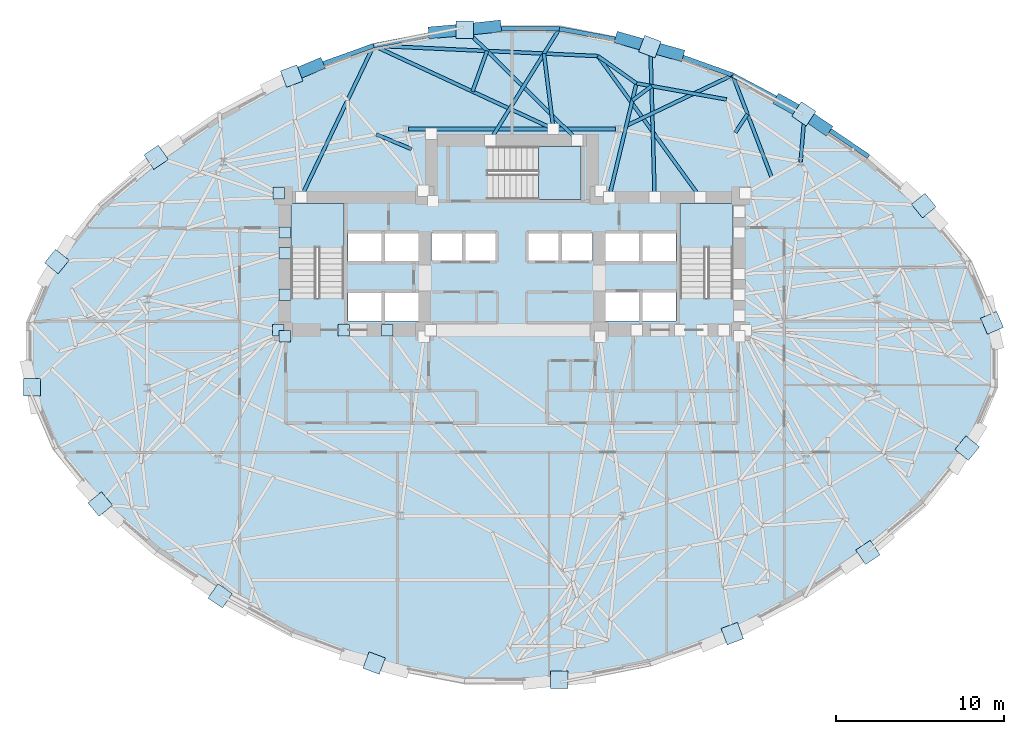
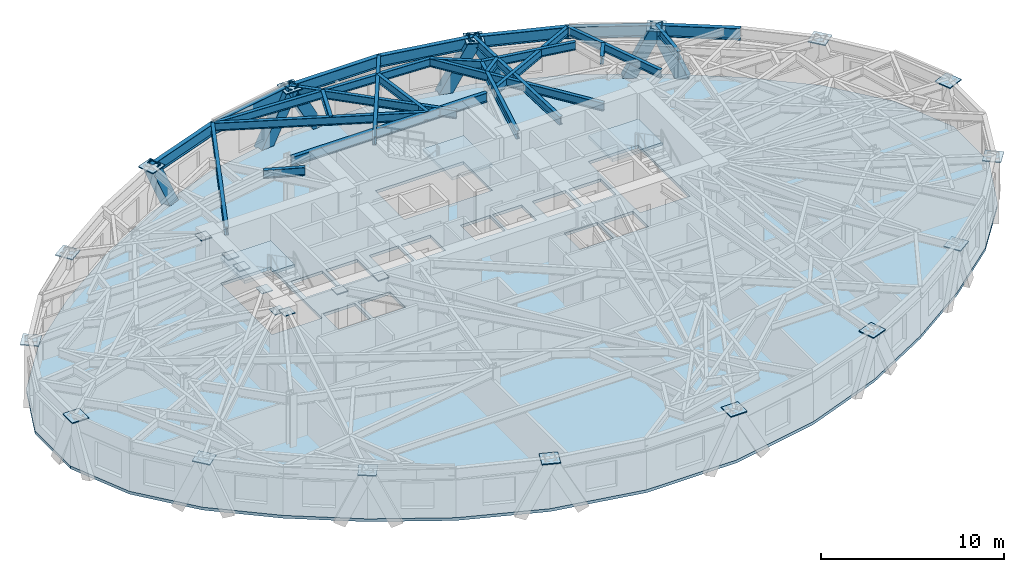
# One storey, part 5 of 14: 26 beams, 24 plates, 7 members, 4 slabs, 3 elements without a shape of their own.
"""IFC4 building model written with IfcOpenShell, lengths in metres."""

from ifc_helpers import new_model, si_unit, direction, frame, origin, origin_2d, place, context, subcontext, project, spatial, polyline, rectangle, hollow_rectangle, i_section, outline, extrude, material, layer, layer_set, material_profile, profile_set, type_object, element, aggregate, save


model = new_model("IFC4")

# Units and contexts
model_context = context("Model", 3, precision=1e-05, world=origin(), true_north=direction((0.0, 1.0)))
body_context = subcontext(model_context, "Body", "Model", "MODEL_VIEW")
ifc_project = project(units=[si_unit("LENGTHUNIT", "METRE"), si_unit("AREAUNIT", "SQUARE_METRE"), si_unit("VOLUMEUNIT", "CUBIC_METRE"), si_unit("PLANEANGLEUNIT", "RADIAN"), si_unit("MASSUNIT", "GRAM", prefix="KILO")], contexts=[model_context])

# Site, building, storey
site_placement = place(None, origin())
site = spatial("IfcSite", under=ifc_project, at=site_placement, CompositionType="ELEMENT")
building_placement = place(site_placement, origin())
building = spatial("IfcBuilding", under=site, at=building_placement, Name="Keldmark Tower", CompositionType="ELEMENT")
storey_placement = place(building_placement, frame((0.0, 0.0, 89.60009765625)))
storey = spatial("IfcBuildingStorey", under=building, at=storey_placement, Name="L23", CompositionType="ELEMENT", Elevation=89.60009765625)

# Members
ifc_material_1 = material(Name="Steel ASTM A572 Grade 50", Category="steel")
ifc_material_profile_1 = material_profile(ifc_material_1, hollow_rectangle(XDim=0.699951171875, YDim=0.699951171875, WallThickness=0.054931640625, at=origin_2d()), Name="BOX700X700X55")
ifc_profile_set_1 = profile_set([ifc_material_profile_1], Name="Steel ASTM A572 Grade 50")
member_type = type_object("IfcMemberType", Name="Diagrid Zone 1 Brace BOX700X700X55", PredefinedType="BRACE", material=ifc_profile_set_1)
member_1_placement = place(storey_placement, frame((18.631103515625, 13.481689453125, -0.27001953125), z_axis=(-0.336340617782, 0.22609778775, 0.914196247643), x_axis=(-0.557891754067, -0.82991372488, 0.0)))
element("IfcMember", 1, at=member_1_placement, inside=storey, type_object=member_type, Name="L23 Perimeter Diagrid Brace 02B", PredefinedType="BRACE", context=body_context, shape_type="SweptSolid", body=[
    extrude(hollow_rectangle(XDim=0.699951171875, YDim=0.699951171875, WallThickness=0.054931640625, at=origin_2d()), origin(), (0.0, 0.0, 1.0), 3.78466796875),
])
member_2_placement = place(storey_placement, frame((15.95751953125, 15.10595703125, -0.27001953125), z_axis=(0.369242285857, -0.203591917102, 0.906758217843), x_axis=(0.482844663231, 0.875706018701, 0.0)))
element("IfcMember", 2, at=member_2_placement, inside=storey, type_object=member_type, Name="L23 Perimeter Diagrid Brace 03A", PredefinedType="BRACE", context=body_context, shape_type="SweptSolid", body=[
    extrude(hollow_rectangle(XDim=0.699951171875, YDim=0.699951171875, WallThickness=0.054931640625, at=origin_2d()), origin(), (0.0, 0.0, 1.0), 3.815673828125),
])
member_3_placement = place(storey_placement, frame((9.8876953125, 17.863037109375, -0.27001953125), z_axis=(-0.434997536454, 0.121811900584, 0.892154136994), x_axis=(-0.269655770561, -0.962956782729, 0.0)))
element("IfcMember", 3, at=member_3_placement, inside=storey, type_object=member_type, Name="L23 Perimeter Diagrid Brace 03B", PredefinedType="BRACE", context=body_context, shape_type="SweptSolid", body=[
    extrude(hollow_rectangle(XDim=0.699951171875, YDim=0.699951171875, WallThickness=0.054931640625, at=origin_2d()), origin(), (0.0, 0.0, 1.0), 3.878173828125),
])
member_4_placement = place(storey_placement, frame((6.45849609375, 18.824462890625, -0.27001953125), z_axis=(0.448377656674, -0.126190118944, 0.884891818742), x_axis=(0.270912496886, 0.962603978296, 0.0)))
element("IfcMember", 4, at=member_4_placement, inside=storey, type_object=member_type, Name="L23 Perimeter Diagrid Brace 04A", PredefinedType="BRACE", context=body_context, shape_type="SweptSolid", body=[
    extrude(hollow_rectangle(XDim=0.699951171875, YDim=0.699951171875, WallThickness=0.054931640625, at=origin_2d()), origin(), (0.0, 0.0, 1.0), 3.91015625),
])
member_5_placement = place(storey_placement, frame((-0.955078125, 19.5361328125, -0.27001953125), z_axis=(-0.474577602161, -0.051277198457, 0.878718810795), x_axis=(0.107422850938, -0.994213423313, 0.0)))
element("IfcMember", 5, at=member_5_placement, inside=storey, type_object=member_type, Name="L23 Perimeter Diagrid Brace 04B", PredefinedType="BRACE", context=body_context, shape_type="SweptSolid", body=[
    extrude(hollow_rectangle(XDim=0.699951171875, YDim=0.699951171875, WallThickness=0.054931640625, at=origin_2d()), origin(), (0.0, 0.0, 1.0), 3.9375),
])
member_6_placement = place(storey_placement, frame((-4.65576171875, 19.17919921875, -0.27001953125), z_axis=(0.469910685109, 0.039511822702, 0.881829214694), x_axis=(-0.083788014714, 0.996483601767, 0.0)))
element("IfcMember", 6, at=member_6_placement, inside=storey, type_object=member_type, Name="L23 Perimeter Diagrid Brace 05A", PredefinedType="BRACE", context=body_context, shape_type="SweptSolid", body=[
    extrude(hollow_rectangle(XDim=0.699951171875, YDim=0.699951171875, WallThickness=0.054931640625, at=origin_2d()), origin(), (0.0, 0.0, 1.0), 3.923583984375),
])
member_7_placement = place(storey_placement, frame((-11.5244140625, 17.249755859375, -0.27001953125), z_axis=(-0.409173634849, -0.172596418903, 0.895984047138), x_axis=(0.388655184327, -0.921383279475, 0.0)))
element("IfcMember", 7, at=member_7_placement, inside=storey, type_object=member_type, Name="L23 Perimeter Diagrid Brace 05B", PredefinedType="BRACE", context=body_context, shape_type="SweptSolid", body=[
    extrude(hollow_rectangle(XDim=0.699951171875, YDim=0.699951171875, WallThickness=0.054931640625, at=origin_2d()), origin(), (0.0, 0.0, 1.0), 3.861572265625),
])

# Beams
ifc_material_2 = material(Name="Steel ASTM A992 Grade 50", Category="steel")
ifc_material_profile_2 = material_profile(ifc_material_2, i_section(OverallWidth=0.22900390625, OverallDepth=0.612060546875, WebThickness=0.011962890625, FlangeThickness=0.01953125, at=origin_2d()), Name="W24X84")
ifc_profile_set_2 = profile_set([ifc_material_profile_2], Name="Steel ASTM A992 Grade 50")
beam_type_1 = type_object("IfcBeamType", Name="Primary Floor Girder W24X84", PredefinedType="BEAM", material=ifc_profile_set_2)
beam_1_placement = place(storey_placement, frame((6.15869140625, 13.4326171875, 3.00390625), z_axis=(-1.0, 0.0, 0.0), x_axis=(0.0, -1.0, 0.0)))
element("IfcBeam", 8, at=beam_1_placement, inside=storey, type_object=beam_type_1, Name="L23 Floor Ring Girder FG-R03", PredefinedType="BEAM", context=body_context, shape_type="SweptSolid", body=[
    extrude(i_section(OverallWidth=0.22900390625, OverallDepth=0.612060546875, WebThickness=0.011962890625, FlangeThickness=0.01953125, at=origin_2d()), origin(), (0.0, 0.0, 1.0), 12.3173828125),
])
ifc_material_3 = material(Name="Steel ASTM A992 Grade 50", Category="steel")
ifc_material_profile_3 = material_profile(ifc_material_3, i_section(OverallWidth=0.2099609375, OverallDepth=0.537109375, WebThickness=0.010986328125, FlangeThickness=0.017333984375, at=origin_2d()), Name="W21X68")
ifc_profile_set_3 = profile_set([ifc_material_profile_3], Name="Steel ASTM A992 Grade 50")
beam_type_2 = type_object("IfcBeamType", Name="Radial Tie Girder W21X68", PredefinedType="BEAM", material=ifc_profile_set_3)
beam_2_placement = place(storey_placement, frame((-5.968505859375, 12.23583984375, 3.04150390625), z_axis=(-0.922950161996, 0.384919470113, 0.0), x_axis=(-0.384919470113, -0.922950161996, 0.0)))
element("IfcBeam", 9, at=beam_2_placement, inside=storey, type_object=beam_type_2, Name="L23 Framing Pin Header PH-002", PredefinedType="BEAM", context=body_context, shape_type="SweptSolid", body=[
    extrude(i_section(OverallWidth=0.2099609375, OverallDepth=0.537109375, WebThickness=0.010986328125, FlangeThickness=0.017333984375, at=origin_2d()), origin(), (0.0, 0.0, 1.0), 2.2802734375),
])
beam_3_placement = place(storey_placement, frame((17.1669921875, 11.478271484375, 3.04150390625), z_axis=(0.081717856623, 0.996655503125, 0.0), x_axis=(-0.996655503125, 0.081717856623, 0.0)))
element("IfcBeam", 10, at=beam_3_placement, inside=storey, type_object=beam_type_2, Name="L23 Perimeter Column Bracket RT-05", PredefinedType="BEAM", context=body_context, shape_type="SweptSolid", body=[
    extrude(i_section(OverallWidth=0.2099609375, OverallDepth=0.537109375, WebThickness=0.010986328125, FlangeThickness=0.017333984375, at=origin_2d()), origin(), (0.0, 0.0, 1.0), 2.906982421875),
])
beam_4_placement = place(storey_placement, frame((13.27734375, 13.215087890625, 3.04150390625), z_axis=(0.550654836146, 0.834733042013, 0.0), x_axis=(-0.834733042013, 0.550654836146, 0.0)))
element("IfcBeam", 11, at=beam_4_placement, inside=storey, type_object=beam_type_2, Name="L23 Framing Pin Header PH-013", PredefinedType="BEAM", context=body_context, shape_type="SweptSolid", body=[
    extrude(i_section(OverallWidth=0.2099609375, OverallDepth=0.537109375, WebThickness=0.010986328125, FlangeThickness=0.017333984375, at=origin_2d()), origin(), (0.0, 0.0, 1.0), 1.3251953125),
])
beam_5_placement = place(storey_placement, frame((15.4619140625, 10.508544921875, 3.04150390625), z_axis=(-0.356535106282, 0.934281926395, 0.0), x_axis=(-0.934281926395, -0.356535106282, 0.0)))
element("IfcBeam", 12, at=beam_5_placement, inside=storey, type_object=beam_type_2, Name="L23 Perimeter Radial Tie Girder RT-06", PredefinedType="BEAM", context=body_context, shape_type="SweptSolid", body=[
    extrude(i_section(OverallWidth=0.2099609375, OverallDepth=0.537109375, WebThickness=0.010986328125, FlangeThickness=0.017333984375, at=origin_2d()), origin(), (0.0, 0.0, 1.0), 6.5634765625),
])
beam_6_placement = place(storey_placement, frame((13.121826171875, 16.640625, 3.04150390625), z_axis=(-0.902687188057, -0.430297386139, 0.0), x_axis=(0.430297386139, -0.902687188057, 0.0)))
element("IfcBeam", 13, at=beam_6_placement, inside=storey, type_object=beam_type_2, Name="L23 Framing Pin Header PH-014", PredefinedType="BEAM", context=body_context, shape_type="SweptSolid", body=[
    extrude(i_section(OverallWidth=0.2099609375, OverallDepth=0.537109375, WebThickness=0.010986328125, FlangeThickness=0.017333984375, at=origin_2d()), origin(), (0.0, 0.0, 1.0), 7.006591796875),
])
beam_7_placement = place(storey_placement, frame((5.778564453125, 9.375, 3.04150390625), z_axis=(0.233015009057, 0.972473138731, 0.0), x_axis=(-0.972473138731, 0.233015009057, 0.0)))
element("IfcBeam", 14, at=beam_7_placement, inside=storey, type_object=beam_type_2, Name="L23 Intermediate Radial Step Girder RT-07M", PredefinedType="BEAM", context=body_context, shape_type="SweptSolid", body=[
    extrude(i_section(OverallWidth=0.2099609375, OverallDepth=0.537109375, WebThickness=0.010986328125, FlangeThickness=0.017333984375, at=origin_2d()), origin(), (0.0, 0.0, 1.0), 6.96533203125),
])
beam_8_placement = place(storey_placement, frame((12.760498046875, 15.19140625, 3.04150390625), z_axis=(-0.9844170408, 0.175849622641, 0.0), x_axis=(-0.175849622641, -0.9844170408, 0.0)))
element("IfcBeam", 15, at=beam_8_placement, inside=storey, type_object=beam_type_2, Name="L23 Local Collector Chord RT-07C", PredefinedType="BEAM", context=body_context, shape_type="SweptSolid", body=[
    extrude(i_section(OverallWidth=0.2099609375, OverallDepth=0.537109375, WebThickness=0.010986328125, FlangeThickness=0.017333984375, at=origin_2d()), origin(), (0.0, 0.0, 1.0), 5.443603515625),
])
beam_9_placement = place(storey_placement, frame((7.158203125, 15.132568359375, 3.04150390625), z_axis=(0.79946510658, 0.600712529719, 0.0), x_axis=(-0.600712529719, 0.79946510658, 0.0)))
element("IfcBeam", 16, at=beam_9_placement, inside=storey, type_object=beam_type_2, Name="L23 Framing Pin Header PH-015", PredefinedType="BEAM", context=body_context, shape_type="SweptSolid", body=[
    extrude(i_section(OverallWidth=0.2099609375, OverallDepth=0.537109375, WebThickness=0.010986328125, FlangeThickness=0.017333984375, at=origin_2d()), origin(), (0.0, 0.0, 1.0), 1.4248046875),
])
beam_10_placement = place(storey_placement, frame((8.485595703125, 9.375, 3.04150390625), z_axis=(-0.028456198365, 0.999595040391, 0.0), x_axis=(-0.999595040391, -0.028456198365, 0.0)))
element("IfcBeam", 17, at=beam_10_placement, inside=storey, type_object=beam_type_2, Name="L23 Perimeter Radial Tie Girder RT-07", PredefinedType="BEAM", context=body_context, shape_type="SweptSolid", body=[
    extrude(i_section(OverallWidth=0.2099609375, OverallDepth=0.537109375, WebThickness=0.010986328125, FlangeThickness=0.017333984375, at=origin_2d()), origin(), (0.0, 0.0, 1.0), 9.01708984375),
])
beam_11_placement = place(storey_placement, frame((11.19287109375, 9.375, 3.04150390625), z_axis=(-0.5867132651, 0.809794754587, 0.0), x_axis=(-0.809794754587, -0.5867132651, 0.0)))
element("IfcBeam", 18, at=beam_11_placement, inside=storey, type_object=beam_type_2, Name="L23 Intermediate Radial Step Girder RT-08M", PredefinedType="BEAM", context=body_context, shape_type="SweptSolid", body=[
    extrude(i_section(OverallWidth=0.2099609375, OverallDepth=0.537109375, WebThickness=0.010986328125, FlangeThickness=0.017333984375, at=origin_2d()), origin(), (0.0, 0.0, 1.0), 10.368408203125),
])
beam_12_placement = place(storey_placement, frame((7.401611328125, 16.148681640625, 3.04150390625), z_axis=(-0.816181644353, 0.577795399273, 0.0), x_axis=(-0.577795399273, -0.816181644353, 0.0)))
element("IfcBeam", 19, at=beam_12_placement, inside=storey, type_object=beam_type_2, Name="L23 Local Collector Chord RT-08C", PredefinedType="BEAM", context=body_context, shape_type="SweptSolid", body=[
    extrude(i_section(OverallWidth=0.2099609375, OverallDepth=0.537109375, WebThickness=0.010986328125, FlangeThickness=0.017333984375, at=origin_2d()), origin(), (0.0, 0.0, 1.0), 2.80810546875),
])
beam_13_placement = place(storey_placement, frame((-12.54638671875, 9.375, 3.04150390625), z_axis=(0.431993937748, 0.901876509146, 0.0), x_axis=(-0.901876509146, 0.431993937748, 0.0)))
element("IfcBeam", 20, at=beam_13_placement, inside=storey, type_object=beam_type_2, Name="L23 Perimeter Radial Tie Girder RT-10", PredefinedType="BEAM", context=body_context, shape_type="SweptSolid", body=[
    extrude(i_section(OverallWidth=0.2099609375, OverallDepth=0.537109375, WebThickness=0.010986328125, FlangeThickness=0.017333984375, at=origin_2d()), origin(), (0.0, 0.0, 1.0), 9.994140625),
])
beam_14_placement = place(storey_placement, frame((5.109619140625, 17.771240234375, 3.04150390625), z_axis=(-0.998931226761, 0.0462212527, 0.0), x_axis=(-0.0462212527, -0.998931226761, 0.0)))
element("IfcBeam", 21, at=beam_14_placement, inside=storey, type_object=beam_type_2, Name="L23 Straddling Support Chord RT-08RB", PredefinedType="BEAM", context=body_context, shape_type="SweptSolid", body=[
    extrude(i_section(OverallWidth=0.2099609375, OverallDepth=0.537109375, WebThickness=0.010986328125, FlangeThickness=0.017333984375, at=origin_2d()), origin(), (0.0, 0.0, 1.0), 13.352783203125),
])
beam_15_placement = place(storey_placement, frame((2.46337890625, 13.4326171875, 3.04150390625), z_axis=(-0.124121116802, 0.992267075118, 0.0), x_axis=(-0.992267075118, -0.124121116802, 0.0)))
element("IfcBeam", 22, at=beam_15_placement, inside=storey, type_object=beam_type_2, Name="L23 Framing Pin Header PH-039", PredefinedType="BEAM", context=body_context, shape_type="SweptSolid", body=[
    extrude(i_section(OverallWidth=0.2099609375, OverallDepth=0.537109375, WebThickness=0.010986328125, FlangeThickness=0.017333984375, at=origin_2d()), origin(), (0.0, 0.0, 1.0), 4.52197265625),
])
beam_16_placement = place(storey_placement, frame((-1.293701171875, 12.77490234375, 3.04150390625), z_axis=(0.527667786865, 0.849450826537, 0.0), x_axis=(-0.849450826537, 0.527667786865, 0.0)))
element("IfcBeam", 23, at=beam_16_placement, inside=storey, type_object=beam_type_2, Name="L23 Perimeter Radial Tie Girder RT-08R", PredefinedType="BEAM", context=body_context, shape_type="SweptSolid", body=[
    extrude(i_section(OverallWidth=0.2099609375, OverallDepth=0.537109375, WebThickness=0.010986328125, FlangeThickness=0.017333984375, at=origin_2d()), origin(), (0.0, 0.0, 1.0), 7.7919921875),
])
beam_17_placement = place(storey_placement, frame((2.46337890625, 13.4326171875, 3.04150390625), z_axis=(-0.907284582794, 0.420517164721, 0.0), x_axis=(-0.420517164721, -0.907284582794, 0.0)))
element("IfcBeam", 24, at=beam_17_placement, inside=storey, type_object=beam_type_2, Name="L23 Straddling Support Chord RT-09RB", PredefinedType="BEAM", context=body_context, shape_type="SweptSolid", body=[
    extrude(i_section(OverallWidth=0.2099609375, OverallDepth=0.537109375, WebThickness=0.010986328125, FlangeThickness=0.017333984375, at=origin_2d()), origin(), (0.0, 0.0, 1.0), 11.78515625),
])
beam_18_placement = place(storey_placement, frame((-2.34814453125, 15.66259765625, 3.04150390625), z_axis=(0.336921497133, 0.941532742272, 0.0), x_axis=(-0.941532742272, 0.336921497133, 0.0)))
element("IfcBeam", 25, at=beam_18_placement, inside=storey, type_object=beam_type_2, Name="L23 Framing Pin Header PH-040", PredefinedType="BEAM", context=body_context, shape_type="SweptSolid", body=[
    extrude(i_section(OverallWidth=0.2099609375, OverallDepth=0.537109375, WebThickness=0.010986328125, FlangeThickness=0.017333984375, at=origin_2d()), origin(), (0.0, 0.0, 1.0), 2.563720703125),
])
beam_19_placement = place(storey_placement, frame((3.88134765625, 12.77490234375, 3.04150390625), z_axis=(-0.711358442802, 0.702829400248, 0.0), x_axis=(-0.702829400248, -0.711358442802, 0.0)))
element("IfcBeam", 26, at=beam_19_placement, inside=storey, type_object=beam_type_2, Name="L23 Perimeter Radial Tie Girder RT-09R", PredefinedType="BEAM", context=body_context, shape_type="SweptSolid", body=[
    extrude(i_section(OverallWidth=0.2099609375, OverallDepth=0.537109375, WebThickness=0.010986328125, FlangeThickness=0.017333984375, at=origin_2d()), origin(), (0.0, 0.0, 1.0), 9.41748046875),
])
ifc_material_4 = material(Name="Steel ASTM A992 Grade 50", Category="steel")
ifc_material_profile_4 = material_profile(ifc_material_4, i_section(OverallWidth=0.26806640625, OverallDepth=0.77001953125, WebThickness=0.015625, FlangeThickness=0.025390625, at=origin_2d()), Name="W30X132")
ifc_profile_set_4 = profile_set([ifc_material_profile_4], Name="Steel ASTM A992 Grade 50")
beam_type_3 = type_object("IfcBeamType", Name="Spandrel Ring Beam W30X132", PredefinedType="SPANDREL", material=ifc_profile_set_4)
beam_20_placement = place(storey_placement, frame((21.20751953125, 11.797607421875, 2.9248046875), z_axis=(-0.827749911298, 0.561097214701, 0.0), x_axis=(-0.561097214701, -0.827749911298, 0.0)))
element("IfcBeam", 27, at=beam_20_placement, inside=storey, type_object=beam_type_3, Name="L23 Perimeter Spandrel Ring Beam SRB-04", PredefinedType="SPANDREL", context=body_context, shape_type="SweptSolid", body=[
    extrude(i_section(OverallWidth=0.26806640625, OverallDepth=0.77001953125, WebThickness=0.015625, FlangeThickness=0.025390625, at=origin_2d()), origin(), (0.0, 0.0, 1.0), 4.59423828125),
])
beam_21_placement = place(storey_placement, frame((17.404541015625, 14.37548828125, 2.9248046875), z_axis=(-0.883974159998, 0.467535757409, 0.0), x_axis=(-0.467535757409, -0.883974159998, 0.0)))
element("IfcBeam", 28, at=beam_21_placement, inside=storey, type_object=beam_type_3, Name="L23 Perimeter Spandrel Ring Beam SRB-05", PredefinedType="SPANDREL", context=body_context, shape_type="SweptSolid", body=[
    extrude(i_section(OverallWidth=0.26806640625, OverallDepth=0.77001953125, WebThickness=0.015625, FlangeThickness=0.025390625, at=origin_2d()), origin(), (0.0, 0.0, 1.0), 4.8447265625),
])
beam_22_placement = place(storey_placement, frame((13.121826171875, 16.640625, 2.9248046875), z_axis=(-0.941719584121, 0.336398907376, 0.0), x_axis=(-0.336398907376, -0.941719584121, 0.0)))
element("IfcBeam", 29, at=beam_22_placement, inside=storey, type_object=beam_type_3, Name="L23 Perimeter Spandrel Ring Beam SRB-06", PredefinedType="SPANDREL", context=body_context, shape_type="SweptSolid", body=[
    extrude(i_section(OverallWidth=0.26806640625, OverallDepth=0.77001953125, WebThickness=0.015625, FlangeThickness=0.025390625, at=origin_2d()), origin(), (0.0, 0.0, 1.0), 5.195556640625),
])
beam_23_placement = place(storey_placement, frame((8.22900390625, 18.388427734375, 2.9248046875), z_axis=(-0.983174171207, 0.182670602645, 0.0), x_axis=(-0.182670602645, -0.983174171207, 0.0)))
element("IfcBeam", 30, at=beam_23_placement, inside=storey, type_object=beam_type_3, Name="L23 Perimeter Spandrel Ring Beam SRB-07", PredefinedType="SPANDREL", context=body_context, shape_type="SweptSolid", body=[
    extrude(i_section(OverallWidth=0.26806640625, OverallDepth=0.77001953125, WebThickness=0.015625, FlangeThickness=0.025390625, at=origin_2d()), origin(), (0.0, 0.0, 1.0), 5.503662109375),
])
beam_24_placement = place(storey_placement, frame((2.81787109375, 19.393798828125, 2.9248046875), z_axis=(-1.0, 0.0, 0.0), x_axis=(0.0, -1.0, 0.0)))
element("IfcBeam", 31, at=beam_24_placement, inside=storey, type_object=beam_type_3, Name="L23 Perimeter Spandrel Ring Beam SRB-08", PredefinedType="SPANDREL", context=body_context, shape_type="SweptSolid", body=[
    extrude(i_section(OverallWidth=0.26806640625, OverallDepth=0.77001953125, WebThickness=0.015625, FlangeThickness=0.025390625, at=origin_2d()), origin(), (0.0, 0.0, 1.0), 5.6357421875),
])
beam_25_placement = place(storey_placement, frame((-2.81787109375, 19.393798828125, 2.9248046875), z_axis=(-0.983174171207, -0.182670602645, 0.0), x_axis=(0.182670602645, -0.983174171207, 0.0)))
element("IfcBeam", 32, at=beam_25_placement, inside=storey, type_object=beam_type_3, Name="L23 Perimeter Spandrel Ring Beam SRB-09", PredefinedType="SPANDREL", context=body_context, shape_type="SweptSolid", body=[
    extrude(i_section(OverallWidth=0.26806640625, OverallDepth=0.77001953125, WebThickness=0.015625, FlangeThickness=0.025390625, at=origin_2d()), origin(), (0.0, 0.0, 1.0), 5.503662109375),
])
beam_26_placement = place(storey_placement, frame((-8.22900390625, 18.388427734375, 2.9248046875), z_axis=(-0.941719584121, -0.336398907376, 0.0), x_axis=(0.336398907376, -0.941719584121, 0.0)))
element("IfcBeam", 33, at=beam_26_placement, inside=storey, type_object=beam_type_3, Name="L23 Perimeter Spandrel Ring Beam SRB-10", PredefinedType="SPANDREL", context=body_context, shape_type="SweptSolid", body=[
    extrude(i_section(OverallWidth=0.26806640625, OverallDepth=0.77001953125, WebThickness=0.015625, FlangeThickness=0.025390625, at=origin_2d()), origin(), (0.0, 0.0, 1.0), 5.195556640625),
])

# Plates
ifc_material_5 = material(Name="Steel ASTM A572 Grade 50", Category="steel")
ifc_layer_1 = layer(ifc_material_5, 0.06005859375)
ifc_layer_set_1 = layer_set([ifc_layer_1], Name="Steel ASTM A572 Grade 50")
plate_type_1 = type_object("IfcPlateType", Name="Belt Truss Kink Node Assembly KN01 60 mm", PredefinedType="USERDEFINED", material=ifc_layer_set_1)
for number, where, z_axis, x_axis, name in (
    (34, (-13.878173828125, 9.608154296875, 3.0078125), (0.0, 0.0, 1.0), (1.0, 0.0, 0.0), "L23 Core Wall Cast-In Embed Plate 623"),
    (35, (-13.91162109375, 1.473388671875, 3.0078125), (0.0, 0.0, 1.0), (1.0, 0.0, 0.0), "L23 Core Wall Cast-In Embed Plate 624"),
    (36, (-13.52490234375, 6.04296875, 3.01416015625), (0.0, 0.0, 1.0), (1.0, 0.0, 0.0), "L23 Core Wall Cast-In Embed Plate 630"),
    (37, (-13.52490234375, 7.278564453125, 3.01416015625), (0.0, 0.0, 1.0), (1.0, 0.0, 0.0), "L23 Core Wall Cast-In Embed Plate 638"),
    (38, (-13.52490234375, 3.5712890625, 3.01416015625), (0.0, 0.0, 1.0), (1.0, 0.0, 0.0), "L23 Core Wall Cast-In Embed Plate 639"),
    (39, (-7.41796875, 1.47509765625, 3.01416015625), (0.0, 0.0, 1.0), (1.0, 0.0, 0.0), "L23 Core Wall Cast-In Embed Plate 641"),
    (40, (-13.52490234375, 1.10009765625, 3.01416015625), (0.0, 0.0, 1.0), (1.0, 0.0, 0.0), "L23 Core Wall Cast-In Embed Plate 651"),
    (41, (-10.0107421875, 1.47509765625, 3.01416015625), (0.0, 0.0, 1.0), (1.0, 0.0, 0.0), "L23 Core Wall Cast-In Embed Plate 652"),
):
    element("IfcPlate", number, at=place(storey_placement, frame(where, z_axis=z_axis, x_axis=x_axis)), inside=storey, type_object=plate_type_1, Name=name, ObjectType="CAP PLATE", PredefinedType="USERDEFINED", context=body_context, shape_type="SweptSolid", body=[
        extrude(rectangle(XDim=0.679931640625, YDim=0.679931640625, at=origin_2d()), origin(), (0.0, 0.0, 1.0), 0.054931640625),
    ])
ifc_material_6 = material(Name="Steel ASTM A572 Grade 50", Category="steel")
ifc_layer_2 = layer(ifc_material_6, 0.06494140625)
ifc_layer_set_2 = layer_set([ifc_layer_2], Name="Steel ASTM A572 Grade 50")
plate_type_2 = type_object("IfcPlateType", Name="Diagrid Node Assembly DN02 65 mm", PredefinedType="USERDEFINED", material=ifc_layer_set_2)
for number, where, z_axis, x_axis, name in (
    (42, (28.551513671875, 1.904296875, 3.157470703125), (0.0, 0.0, 1.0), (-0.393781484212, 0.919204081089, 0.0), "L23 Diagrid Node Assembly 01"),
    (43, (24.491943359375, 8.877197265625, 3.157470703125), (0.0, 0.0, 1.0), (-0.631758757508, 0.775165061333, 0.0), "L23 Diagrid Node Assembly 02"),
    (44, (17.358154296875, 14.33740234375, 3.157470703125), (0.0, 0.0, 1.0), (-0.827766671236, 0.56107248907, 0.0), "L23 Diagrid Node Assembly 04"),
    (45, (8.20068359375, 18.33544921875, 3.157470703125), (0.0, 0.0, 1.0), (-0.936488692704, 0.350697773643, 0.0), "L23 Diagrid Node Assembly 06"),
    (46, (-2.82373046875, 19.334228515625, 3.157470703125), (0.0, 0.0, 1.0), (-1.0, 0.0, 0.0), "L23 Diagrid Node Assembly 08"),
    (47, (-13.1044921875, 16.583251953125, 3.157470703125), (0.0, 0.0, 1.0), (-0.936488692704, -0.350697773643, 0.0), "L23 Diagrid Node Assembly 10"),
    (48, (-21.16943359375, 11.751220703125, 3.157470703125), (0.0, 0.0, 1.0), (-0.827766671236, -0.56107248907, 0.0), "L23 Diagrid Node Assembly 12"),
    (49, (-27.07470703125, 5.5498046875, 3.157470703125), (0.0, 0.0, 1.0), (-0.631758757508, -0.775165061333, 0.0), "L23 Diagrid Node Assembly 14"),
    (50, (-28.551513671875, -1.916015625, 3.157470703125), (0.0, 0.0, 1.0), (0.0, -1.0, 0.0), "L23 Diagrid Node Assembly 16"),
    (51, (-24.491943359375, -8.877197265625, 3.157470703125), (0.0, 0.0, 1.0), (0.631758757508, -0.775165061333, 0.0), "L23 Diagrid Node Assembly 18"),
    (52, (-17.358154296875, -14.33740234375, 3.157470703125), (0.0, 0.0, 1.0), (0.827766671236, -0.56107248907, 0.0), "L23 Diagrid Node Assembly 20"),
    (53, (-8.20068359375, -18.33544921875, 3.157470703125), (0.0, 0.0, 1.0), (0.936488692704, -0.350697773643, 0.0), "L23 Diagrid Node Assembly 22"),
    (54, (2.82373046875, -19.334228515625, 3.157470703125), (0.0, 0.0, 1.0), (1.0, 0.0, 0.0), "L23 Diagrid Node Assembly 24"),
    (55, (13.1044921875, -16.583251953125, 3.157470703125), (0.0, 0.0, 1.0), (0.936488692704, 0.350697773643, 0.0), "L23 Diagrid Node Assembly 26"),
    (56, (21.16943359375, -11.751220703125, 3.157470703125), (0.0, 0.0, 1.0), (0.827766671236, 0.56107248907, 0.0), "L23 Diagrid Node Assembly 28"),
    (57, (27.07470703125, -5.5498046875, 3.157470703125), (0.0, 0.0, 1.0), (0.631758757508, 0.775165061333, 0.0), "L23 Diagrid Node Assembly 30"),
):
    element("IfcPlate", number, at=place(storey_placement, frame(where, z_axis=z_axis, x_axis=x_axis)), inside=storey, type_object=plate_type_2, Name=name, ObjectType="GUSSET", PredefinedType="USERDEFINED", context=body_context, shape_type="SweptSolid", body=[
        extrude(rectangle(XDim=1.0400390625, YDim=1.0400390625, at=origin_2d()), origin(), (0.0, 0.0, 1.0), 0.06494140625),
    ])

# Slab
ifc_material_7 = material(Name="Concrete C35/45", Category="concrete")
ifc_layer_3 = layer(ifc_material_7, 0.18994140625)
ifc_layer_set_3 = layer_set([ifc_layer_3], Name="Concrete C35/45")
slab_type_1 = type_object("IfcSlabType", Name="Mid-Rise Office Composite Slab 190 mm", PredefinedType="FLOOR", material=ifc_layer_set_3)
slab_1_placement = place(storey_placement, frame((0.0, 0.0, -0.190185546875)))
element("IfcSlab", 58, at=slab_1_placement, inside=storey, type_object=slab_type_1, Name="L23 Composite Structural Floor Slab", PredefinedType="FLOOR", context=body_context, shape_type="SweptSolid", body=[
    extrude(outline(polyline([(28.90966796875, 1.929931640625), (27.329345703125, 5.619384765625), (24.635009765625, 8.925537109375), (21.213623046875, 11.80078125), (17.40966796875, 14.37939453125), (13.16748046875, 16.6982421875), (8.290283203125, 18.52490234375), (2.847412109375, 19.595947265625), (-2.847412109375, 19.595947265625), (-8.290283203125, 18.52490234375), (-13.16748046875, 16.6982421875), (-17.40966796875, 14.37939453125), (-21.213623046875, 11.80078125), (-24.635009765625, 8.925537109375), (-27.329345703125, 5.619384765625), (-28.90966796875, 1.929931640625), (-28.90966796875, -1.929931640625), (-27.329345703125, -5.619384765625), (-24.635009765625, -8.925537109375), (-21.213623046875, -11.80078125), (-17.40966796875, -14.37939453125), (-13.16748046875, -16.6982421875), (-8.290283203125, -18.52490234375), (-2.847412109375, -19.595947265625), (2.847412109375, -19.595947265625), (8.290283203125, -18.52490234375), (13.16748046875, -16.6982421875), (17.40966796875, -14.37939453125), (21.213623046875, -11.80078125), (24.635009765625, -8.925537109375), (27.329345703125, -5.619384765625), (28.90966796875, -1.929931640625), (28.90966796875, 1.929931640625)]), holes=[polyline([(-10.0, 3.385009765625), (-10.0, 9.0), (-13.14990234375, 9.0), (-13.14990234375, 3.385009765625), (-10.0, 3.385009765625)]), polyline([(13.14990234375, 3.385009765625), (13.14990234375, 9.0), (10.0, 9.0), (10.0, 3.385009765625), (13.14990234375, 3.385009765625)]), polyline([(-1.43994140625, 9.25), (4.10498046875, 9.25), (4.10498046875, 12.39990234375), (-1.43994140625, 12.39990234375), (-1.43994140625, 9.25)]), polyline([(-9.75, 2.0), (-7.75, 2.0), (-7.75, 3.699951171875), (-9.75, 3.699951171875), (-9.75, 2.0)]), polyline([(7.75, 2.0), (9.75, 2.0), (9.75, 3.699951171875), (7.75, 3.699951171875), (7.75, 2.0)]), polyline([(5.449951171875, 2.0), (7.550048828125, 2.0), (7.550048828125, 3.75), (5.449951171875, 3.75), (5.449951171875, 2.0)]), polyline([(-4.800048828125, 5.60009765625), (-2.949951171875, 5.60009765625), (-2.949951171875, 7.25), (-4.800048828125, 7.25), (-4.800048828125, 5.60009765625)]), polyline([(-2.800048828125, 5.60009765625), (-0.949951171875, 5.60009765625), (-0.949951171875, 7.25), (-2.800048828125, 7.25), (-2.800048828125, 5.60009765625)]), polyline([(0.949951171875, 5.60009765625), (2.800048828125, 5.60009765625), (2.800048828125, 7.25), (0.949951171875, 7.25), (0.949951171875, 5.60009765625)]), polyline([(2.949951171875, 5.60009765625), (4.800048828125, 5.60009765625), (4.800048828125, 7.25), (2.949951171875, 7.25), (2.949951171875, 5.60009765625)]), polyline([(-9.75, 5.550048828125), (-7.75, 5.550048828125), (-7.75, 7.25), (-9.75, 7.25), (-9.75, 5.550048828125)]), polyline([(-7.550048828125, 5.550048828125), (-5.550048828125, 5.550048828125), (-5.550048828125, 7.25), (-7.550048828125, 7.25), (-7.550048828125, 5.550048828125)]), polyline([(-7.550048828125, 2.0), (-5.550048828125, 2.0), (-5.550048828125, 3.699951171875), (-7.550048828125, 3.699951171875), (-7.550048828125, 2.0)]), polyline([(5.449951171875, 5.550048828125), (7.550048828125, 5.550048828125), (7.550048828125, 7.25), (5.449951171875, 7.25), (5.449951171875, 5.550048828125)]), polyline([(7.75, 5.550048828125), (9.75, 5.550048828125), (9.75, 7.25), (7.75, 7.25), (7.75, 5.550048828125)])]), origin(), (0.0, 0.0, 1.0), 0.190185546875),
])

# Stair, slab
ifc_material_8 = material(Name="Concrete C40/50", Category="concrete")
stair_type = type_object("IfcStairType", Name="Precast Concrete Core Exit Stair", PredefinedType="HALF_TURN_STAIR", material=ifc_material_8)
stair_1_placement = place(storey_placement, origin())
stair_1 = element("IfcStair", 59, at=stair_1_placement, inside=storey, type_object=stair_type, Name="L23 Exit Stair ST1", PredefinedType="HALF_TURN_STAIR")
ifc_material_9 = material(Name="Concrete C40/50", Category="concrete")
ifc_layer_4 = layer(ifc_material_9, 0.199951171875)
ifc_layer_set_4 = layer_set([ifc_layer_4], Name="Concrete C40/50")
slab_type_2 = type_object("IfcSlabType", Name="Reinforced Concrete Stair Landing 200 mm", PredefinedType="LANDING", material=ifc_layer_set_4)
slab_2_placement = place(storey_placement, frame((0.0, 0.0, 1.5498046875)))
slab_2 = element("IfcSlab", 60, at=slab_2_placement, type_object=slab_type_2, Name="ST1 landing 1", PredefinedType="LANDING", context=body_context, shape_type="SweptSolid", body=[
    extrude(outline(polyline([(-10.0, 6.389892578125), (-10.0, 9.0), (-13.14990234375, 9.0), (-13.14990234375, 6.389892578125), (-10.0, 6.389892578125)])), origin(), (0.0, 0.0, 1.0), 0.2001953125),
])
aggregate(stair_1, [slab_2])

stair_2_placement = place(storey_placement, origin())
stair_2 = element("IfcStair", 61, at=stair_2_placement, inside=storey, type_object=stair_type, Name="L23 Exit Stair ST2", PredefinedType="HALF_TURN_STAIR")
slab_3_placement = place(storey_placement, frame((0.0, 0.0, 1.5498046875)))
slab_3 = element("IfcSlab", 62, at=slab_3_placement, type_object=slab_type_2, Name="ST2 landing 1", PredefinedType="LANDING", context=body_context, shape_type="SweptSolid", body=[
    extrude(outline(polyline([(13.14990234375, 6.389892578125), (13.14990234375, 9.0), (10.0, 9.0), (10.0, 6.389892578125), (13.14990234375, 6.389892578125)])), origin(), (0.0, 0.0, 1.0), 0.2001953125),
])
aggregate(stair_2, [slab_3])

stair_3_placement = place(storey_placement, origin())
stair_3 = element("IfcStair", 63, at=stair_3_placement, inside=storey, type_object=stair_type, Name="L23 Exit Stair ST3", PredefinedType="HALF_TURN_STAIR")
slab_4_placement = place(storey_placement, frame((0.0, 0.0, 1.5498046875)))
slab_4 = element("IfcSlab", 64, at=slab_4_placement, type_object=slab_type_2, Name="ST3 landing 1", PredefinedType="LANDING", context=body_context, shape_type="SweptSolid", body=[
    extrude(outline(polyline([(1.56494140625, 9.25), (4.10498046875, 9.25), (4.10498046875, 12.39990234375), (1.56494140625, 12.39990234375), (1.56494140625, 9.25)])), origin(), (0.0, 0.0, 1.0), 0.2001953125),
])
aggregate(stair_3, [slab_4])

save(model, "model.ifc")
